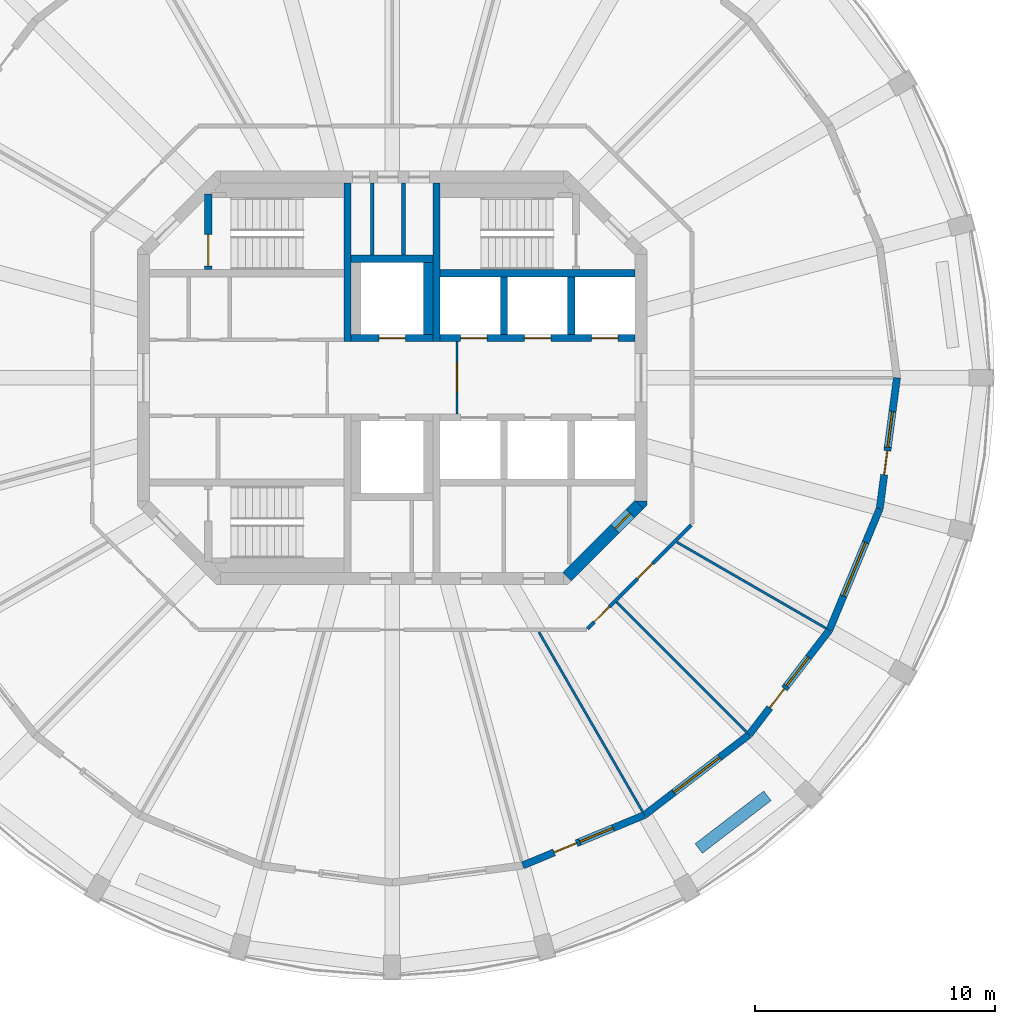
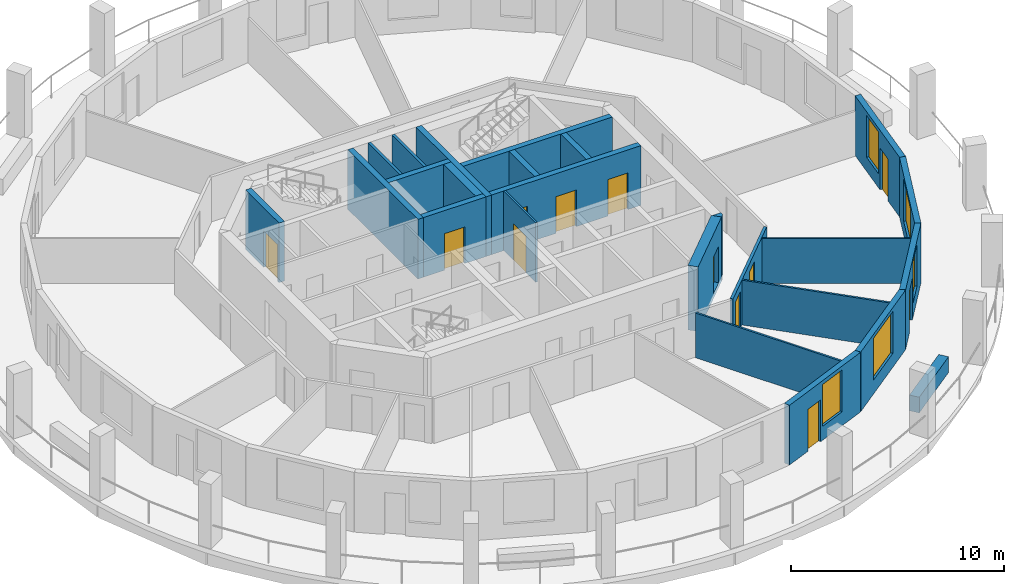
# One storey, part 4 of 8: 25 walls, 12 doors, 5 windows, 17 openings.
"""IFC4 building model written with IfcOpenShell, lengths in metres."""

from ifc_helpers import new_model, si_unit, direction, frame, frame_2d, origin, place, context, subcontext, project, spatial, polyline, rectangle, outline, extrude, material, layer, layer_set, type_object, element, fill, save


model = new_model("IFC4")

# Units and contexts
model_context = context("Model", 3, precision=1e-05, world=origin(), true_north=direction((0.0, 1.0)))
body_context = subcontext(model_context, "Body", "Model", "MODEL_VIEW")
ifc_project = project(units=[si_unit("LENGTHUNIT", "METRE"), si_unit("AREAUNIT", "SQUARE_METRE"), si_unit("VOLUMEUNIT", "CUBIC_METRE"), si_unit("PLANEANGLEUNIT", "RADIAN"), si_unit("MASSUNIT", "GRAM", prefix="KILO")], contexts=[model_context])

# Site, building, storey
site_placement = place(None, origin())
site = spatial("IfcSite", under=ifc_project, at=site_placement, CompositionType="ELEMENT")
building_placement = place(site_placement, origin())
building = spatial("IfcBuilding", under=site, at=building_placement, Name="Torre Triforio", CompositionType="ELEMENT")
storey_placement = place(building_placement, frame((0.0, 0.0, 261.199951171875)))
storey = spatial("IfcBuildingStorey", under=building, at=storey_placement, Name="L60", CompositionType="ELEMENT", Elevation=261.199951171875)

# Walls
ifc_material_1 = material(Name="Concrete C40", Category="concrete")
ifc_layer_1 = layer(ifc_material_1, 0.300048828125)
ifc_layer_set_1 = layer_set([ifc_layer_1], Name="Concrete C40")
wall_type_1 = type_object("IfcWallType", Name="Core wall 300 mm C40 EI 120", PredefinedType="SHEAR", material=ifc_layer_set_1)
for number, where, z_axis, x_axis, name in (
    (1, (-1.85009765625, 1.5, 0.0), (0.0, 0.0, 1.0), (0.0, 1.0, 0.0), "Core wall"),
    (2, (1.85009765625, 1.5, 0.0), (0.0, 0.0, 1.0), (0.0, 1.0, 0.0), "Core wall"),
):
    element("IfcWall", number, at=place(storey_placement, frame(where, z_axis=z_axis, x_axis=x_axis)), inside=storey, type_object=wall_type_1, Name=name, PredefinedType="SHEAR", context=body_context, shape_type="SweptSolid", body=[
        extrude(rectangle(XDim=6.60009765625, YDim=0.300048828125, at=frame_2d((3.300048828125, 0.0))), origin(), (0.0, 0.0, 1.0), 3.420166015625),
    ])

# Wall, opening, door
ifc_layer_2 = layer(ifc_material_1, 0.5)
ifc_layer_set_2 = layer_set([ifc_layer_2], Name="Concrete C40")
wall_type_2 = type_object("IfcWallType", Name="Core wall 500 mm C40 EI 120", PredefinedType="SHEAR", material=ifc_layer_set_2)
wall_1_placement = place(storey_placement, frame((10.27685546875, -5.27685546875, -0.280029296875), z_axis=(0.0, 0.0, 1.0), x_axis=(-0.707106781187, -0.707106781187, 0.0)))
wall_1 = element("IfcWall", 3, at=wall_1_placement, inside=storey, type_object=wall_type_2, Name="Core wall", PredefinedType="SHEAR", context=body_context, shape_type="SweptSolid", body=[
    extrude(rectangle(XDim=4.24267578125, YDim=0.5, at=frame_2d((2.121337890625, 0.0))), origin(), (0.0, 0.0, 1.0), 3.7001953125),
])
opening_1_placement = place(wall_1_placement, frame((0.52001953125, 0.0, 0.280029296875)))
opening_1 = element("IfcOpeningElement", 4, at=opening_1_placement, cuts=wall_1, Name="Opening SE-03", PredefinedType="OPENING", context=body_context, shape_type="SweptSolid", body=[
    extrude(rectangle(XDim=0.89990234375, YDim=2.10009765625, at=frame_2d((0.449951171875, 1.050048828125))), frame((0.0, 0.260009765625, 0.0), z_axis=(0.0, -1.0, 0.0), x_axis=(1.0, 0.0, 0.0)), (0.0, 0.0, 1.0), 0.52001953125),
])
ifc_material_2 = material(Name="Hollow metal fire door leaf")
door_type_1 = type_object("IfcDoorType", Name="Room door 900 x 2100 EI 60", OperationType="NOTDEFINED", PredefinedType="DOOR", material=ifc_material_2)
door_1_placement = place(opening_1_placement, origin())
door_1 = element("IfcDoor", 5, at=door_1_placement, inside=storey, type_object=door_type_1, Name="Core door SE-03", OperationType="SINGLE_SWING_RIGHT", OverallHeight=2.10009765625, OverallWidth=0.89990234375, PredefinedType="DOOR", context=body_context, shape_type="SweptSolid", body=[
    extrude(rectangle(XDim=0.89990234375, YDim=2.10009765625, at=frame_2d((0.449951171875, 1.050048828125))), frame((0.0, 0.02490234375, 0.0), z_axis=(0.0, -1.0, 0.0), x_axis=(1.0, 0.0, 0.0)), (0.0, 0.0, 1.0), 0.050048828125),
])
fill(opening_1, door_1)

# Wall
wall_2_placement = place(storey_placement, frame((0.0, 0.0, -0.280029296875)))
element("IfcWall", 6, at=wall_2_placement, inside=storey, type_object=wall_type_2, Name="Core wall", PredefinedType="SHEAR", context=body_context, shape_type="SweptSolid", body=[
    extrude(outline(polyline([(10.60009765625, -5.30712890625), (10.45361328125, -5.45361328125), (10.1298828125, -5.1298828125), (10.60009765625, -5.1298828125), (10.60009765625, -5.30712890625)])), origin(), (0.0, 0.0, 1.0), 3.7001953125),
])

# Wall, openings, doors
ifc_material_3 = material(Name="Plasterboard on metal studs")
ifc_layer_3 = layer(ifc_material_3, 0.14990234375)
ifc_layer_set_3 = layer_set([ifc_layer_3], Name="Plasterboard on metal studs")
wall_type_3 = type_object("IfcWallType", Name="Corridor and tenancy wall 150 mm EI 60", PredefinedType="PARTITIONING", material=ifc_layer_set_3)
wall_3_placement = place(storey_placement, frame((12.43798828125, -6.120849609375, 0.0), z_axis=(0.0, 0.0, 1.0), x_axis=(-0.707106781187, -0.707106781187, 0.0)))
wall_3 = element("IfcWall", 7, at=wall_3_placement, inside=storey, type_object=wall_type_3, Name="Partition 1", PredefinedType="PARTITIONING", context=body_context, shape_type="SweptSolid", body=[
    extrude(rectangle(XDim=6.10546875, YDim=0.14990234375, at=frame_2d((3.052734375, 0.0))), origin(), (0.0, 0.0, 1.0), 2.570068359375),
])
opening_2_placement = place(wall_3_placement, frame((4.81103515625, 0.0, 0.0)))
opening_2 = element("IfcOpeningElement", 8, at=opening_2_placement, cuts=wall_3, Name="Opening E1-12", PredefinedType="OPENING", context=body_context, shape_type="SweptSolid", body=[
    extrude(rectangle(XDim=0.89990234375, YDim=2.10009765625, at=frame_2d((0.449951171875, 1.050048828125))), frame((0.0, 0.0849609375, 0.0), z_axis=(0.0, -1.0, 0.0), x_axis=(1.0, 0.0, 0.0)), (0.0, 0.0, 1.0), 0.169921875),
])
opening_3_placement = place(wall_3_placement, frame((2.2578125, 0.0, 0.0)))
opening_3 = element("IfcOpeningElement", 9, at=opening_3_placement, cuts=wall_3, Name="Opening E1-13", PredefinedType="OPENING", context=body_context, shape_type="SweptSolid", body=[
    extrude(rectangle(XDim=0.89990234375, YDim=2.10009765625, at=frame_2d((0.449951171875, 1.050048828125))), frame((0.0, 0.0849609375, 0.0), z_axis=(0.0, -1.0, 0.0), x_axis=(1.0, 0.0, 0.0)), (0.0, 0.0, 1.0), 0.169921875),
])
ifc_material_4 = material(Name="Timber", Category="wood")
door_type_2 = type_object("IfcDoorType", Name="Door 900 x 2100 single leaf EI 30", OperationType="NOTDEFINED", PredefinedType="DOOR", material=ifc_material_4)
door_2_placement = place(opening_2_placement, origin())
door_2 = element("IfcDoor", 10, at=door_2_placement, inside=storey, type_object=door_type_2, Name="Door E1-12", OperationType="SINGLE_SWING_LEFT", OverallHeight=2.10009765625, OverallWidth=0.89990234375, PredefinedType="DOOR", context=body_context, shape_type="SweptSolid", body=[
    extrude(rectangle(XDim=0.89990234375, YDim=2.10009765625, at=frame_2d((0.449951171875, 1.050048828125))), frame((0.0, 0.02490234375, 0.0), z_axis=(0.0, -1.0, 0.0), x_axis=(1.0, 0.0, 0.0)), (0.0, 0.0, 1.0), 0.050048828125),
])
fill(opening_2, door_2)
door_3_placement = place(opening_3_placement, origin())
door_3 = element("IfcDoor", 11, at=door_3_placement, inside=storey, type_object=door_type_2, Name="Door E1-13", OperationType="SINGLE_SWING_LEFT", OverallHeight=2.10009765625, OverallWidth=0.89990234375, PredefinedType="DOOR", context=body_context, shape_type="SweptSolid", body=[
    extrude(rectangle(XDim=0.89990234375, YDim=2.10009765625, at=frame_2d((0.449951171875, 1.050048828125))), frame((0.0, 0.02490234375, 0.0), z_axis=(0.0, -1.0, 0.0), x_axis=(1.0, 0.0, 0.0)), (0.0, 0.0, 1.0), 0.050048828125),
])
fill(opening_3, door_3)

# Wall, opening, door
ifc_material_5 = material(Name="Block and board partition")
ifc_layer_4 = layer(ifc_material_5, 0.10009765625)
ifc_layer_set_4 = layer_set([ifc_layer_4], Name="Block and board partition")
wall_type_4 = type_object("IfcWallType", Name="Partition 100 mm EI 120", PredefinedType="PARTITIONING", material=ifc_layer_set_4)
wall_4_placement = place(storey_placement, frame((2.699951171875, -1.5, 0.0), z_axis=(0.0, 0.0, 1.0), x_axis=(0.0, 1.0, 0.0)))
wall_4 = element("IfcWall", 12, at=wall_4_placement, inside=storey, type_object=wall_type_4, Name="Partition", PredefinedType="PARTITIONING", context=body_context, shape_type="SweptSolid", body=[
    extrude(rectangle(XDim=3.0, YDim=0.10009765625, at=frame_2d((1.5, 0.0))), origin(), (0.0, 0.0, 1.0), 3.420166015625),
])
opening_4_placement = place(wall_4_placement, frame((0.89990234375, 0.0, 0.0)))
opening_4 = element("IfcOpeningElement", 13, at=opening_4_placement, cuts=wall_4, Name="Opening FF-E", PredefinedType="OPENING", context=body_context, shape_type="SweptSolid", body=[
    extrude(rectangle(XDim=1.199951171875, YDim=2.10009765625, at=frame_2d((0.60009765625, 1.050048828125))), frame((0.0, 0.06005859375, 0.0), z_axis=(0.0, -1.0, 0.0), x_axis=(1.0, 0.0, 0.0)), (0.0, 0.0, 1.0), 0.1201171875),
])
door_type_3 = type_object("IfcDoorType", Name="Fire-fighting lobby door 1200 x 2100 EI 60", OperationType="NOTDEFINED", PredefinedType="DOOR", material=ifc_material_2)
door_4_placement = place(opening_4_placement, origin())
door_4 = element("IfcDoor", 14, at=door_4_placement, inside=storey, type_object=door_type_3, Name="Core door FF-E", OperationType="SINGLE_SWING_LEFT", OverallHeight=2.10009765625, OverallWidth=1.199951171875, PredefinedType="DOOR", context=body_context, shape_type="SweptSolid", body=[
    extrude(rectangle(XDim=1.199951171875, YDim=2.10009765625, at=frame_2d((0.60009765625, 1.050048828125))), frame((0.0, 0.02490234375, 0.0), z_axis=(0.0, -1.0, 0.0), x_axis=(1.0, 0.0, 0.0)), (0.0, 0.0, 1.0), 0.050048828125),
])
fill(opening_4, door_4)

# Walls
ifc_layer_5 = layer(ifc_material_3, 0.10009765625)
ifc_layer_set_5 = layer_set([ifc_layer_5], Name="Plasterboard on metal studs")
wall_type_5 = type_object("IfcWallType", Name="Partition 100 mm board on metal studs", PredefinedType="PARTITIONING", material=ifc_layer_set_5)
wall_5_placement = place(storey_placement, frame((6.105224609375, -10.57470703125, 0.0), z_axis=(0.0, 0.0, 1.0), x_axis=(0.50001399067, -0.866017326117, 0.0)))
element("IfcWall", 15, at=wall_5_placement, inside=storey, type_object=wall_type_5, Name="Partition 21", PredefinedType="PARTITIONING", context=body_context, shape_type="SweptSolid", body=[
    extrude(rectangle(XDim=8.626220703125, YDim=0.10009765625, at=frame_2d((4.31298828125, 0.0))), origin(), (0.0, 0.0, 1.0), 2.570068359375),
])
wall_6_placement = place(storey_placement, frame((9.33251953125, -9.33251953125, 0.0), z_axis=(0.0, 0.0, 1.0), x_axis=(0.707106781187, -0.707106781187, 0.0)))
element("IfcWall", 16, at=wall_6_placement, inside=storey, type_object=wall_type_5, Name="Partition 22", PredefinedType="PARTITIONING", context=body_context, shape_type="SweptSolid", body=[
    extrude(rectangle(XDim=7.638671875, YDim=0.10009765625, at=frame_2d((3.8193359375, 0.0))), origin(), (0.0, 0.0, 1.0), 2.570068359375),
])
wall_7_placement = place(storey_placement, frame((11.845947265625, -6.839111328125, 0.0), z_axis=(0.0, 0.0, 1.0), x_axis=(0.866011787705, -0.500023583, 0.0)))
element("IfcWall", 17, at=wall_7_placement, inside=storey, type_object=wall_type_5, Name="Partition 23", PredefinedType="PARTITIONING", context=body_context, shape_type="SweptSolid", body=[
    extrude(rectangle(XDim=7.158447265625, YDim=0.10009765625, at=frame_2d((3.5791015625, 0.0))), origin(), (0.0, 0.0, 1.0), 2.570068359375),
])
ifc_layer_6 = layer(ifc_material_5, 0.14990234375)
ifc_layer_set_6 = layer_set([ifc_layer_6], Name="Block and board partition")
wall_type_6 = type_object("IfcWallType", Name="Partition 150 mm", PredefinedType="PARTITIONING", material=ifc_layer_set_6)
wall_8_placement = place(storey_placement, frame((0.47509765625, 5.10009765625, 0.0), z_axis=(0.0, 0.0, 1.0), x_axis=(0.0, 1.0, 0.0)))
element("IfcWall", 18, at=wall_8_placement, inside=storey, type_object=wall_type_6, Name="Partition", PredefinedType="PARTITIONING", context=body_context, shape_type="SweptSolid", body=[
    extrude(rectangle(XDim=3.0, YDim=0.14990234375, at=frame_2d((1.5, 0.0))), origin(), (0.0, 0.0, 1.0), 3.420166015625),
])
ifc_layer_7 = layer(ifc_material_5, 0.14990234375)
ifc_layer_set_7 = layer_set([ifc_layer_7], Name="Block and board partition")
wall_type_7 = type_object("IfcWallType", Name="Partition 150 mm EI 120", PredefinedType="PARTITIONING", material=ifc_layer_set_7)
wall_9_placement = place(storey_placement, frame((-0.824951171875, 5.10009765625, 0.0), z_axis=(0.0, 0.0, 1.0), x_axis=(0.0, 1.0, 0.0)))
element("IfcWall", 19, at=wall_9_placement, inside=storey, type_object=wall_type_7, Name="Partition", PredefinedType="PARTITIONING", context=body_context, shape_type="SweptSolid", body=[
    extrude(rectangle(XDim=3.0, YDim=0.14990234375, at=frame_2d((1.5, 0.0))), origin(), (0.0, 0.0, 1.0), 3.420166015625),
])
ifc_material_6 = material(Name="Limestone cladding", Category="masonry")
ifc_layer_8 = layer(ifc_material_6, 0.10009765625)
ifc_layer_9 = layer(ifc_material_1, 0.39990234375)
ifc_layer_set_8 = layer_set([ifc_layer_8, ifc_layer_9], Name="Limestone cladding / Concrete C40")
wall_type_8 = type_object("IfcWallType", Name="Planter wall 500", PredefinedType="PARAPET", material=ifc_layer_set_8)
wall_10_placement = place(storey_placement, frame((12.756103515625, -19.580810546875, 0.0), z_axis=(0.0, 0.0, 1.0), x_axis=(0.793384730612, 0.608720518162, 0.0)))
element("IfcWall", 20, at=wall_10_placement, inside=storey, type_object=wall_type_8, Name="Planter L60 bay 21", PredefinedType="PARAPET", context=body_context, shape_type="SweptSolid", body=[
    extrude(rectangle(XDim=3.60009765625, YDim=0.5, at=frame_2d((1.800048828125, 0.0))), origin(), (0.0, 0.0, 1.0), 0.900146484375),
])
ifc_layer_10 = layer(ifc_material_1, 0.300048828125)
ifc_layer_set_9 = layer_set([ifc_layer_10], Name="Concrete C40")
wall_type_9 = type_object("IfcWallType", Name="Shaft wall 300 mm C40 EI 120", PredefinedType="SOLIDWALL", material=ifc_layer_set_9)
wall_11_placement = place(storey_placement, frame((2.0, 4.35009765625, 0.0), z_axis=(0.0, 0.0, 1.0), x_axis=(1.0, 0.0, 0.0)))
element("IfcWall", 21, at=wall_11_placement, inside=storey, type_object=wall_type_9, Name="Shaft wall", PredefinedType="SOLIDWALL", context=body_context, shape_type="SweptSolid", body=[
    extrude(rectangle(XDim=8.10009765625, YDim=0.300048828125, at=frame_2d((4.050048828125, 0.0))), origin(), (0.0, 0.0, 1.0), 3.420166015625),
])

# Wall, openings, doors
wall_12_placement = place(storey_placement, frame((2.0, 1.64990234375, 0.0), z_axis=(0.0, 0.0, 1.0), x_axis=(1.0, 0.0, 0.0)))
wall_12 = element("IfcWall", 22, at=wall_12_placement, inside=storey, type_object=wall_type_9, Name="Shaft wall", PredefinedType="SOLIDWALL", context=body_context, shape_type="SweptSolid", body=[
    extrude(rectangle(XDim=8.10009765625, YDim=0.300048828125, at=frame_2d((4.050048828125, 0.0))), origin(), (0.0, 0.0, 1.0), 3.420166015625),
])
opening_5_placement = place(wall_12_placement, frame((0.85009765625, 0.0, 0.0)))
opening_5 = element("IfcOpeningElement", 23, at=opening_5_placement, cuts=wall_12, Name="Opening LD", PredefinedType="OPENING", context=body_context, shape_type="SweptSolid", body=[
    extrude(rectangle(XDim=1.10009765625, YDim=2.10009765625, at=frame_2d((0.550048828125, 1.050048828125))), frame((0.0, 0.159912109375, 0.0), z_axis=(0.0, -1.0, 0.0), x_axis=(1.0, 0.0, 0.0)), (0.0, 0.0, 1.0), 0.320068359375),
])
opening_6_placement = place(wall_12_placement, frame((3.5, 0.0, 0.0)))
opening_6 = element("IfcOpeningElement", 24, at=opening_6_placement, cuts=wall_12, Name="Opening LD", PredefinedType="OPENING", context=body_context, shape_type="SweptSolid", body=[
    extrude(rectangle(XDim=1.10009765625, YDim=2.10009765625, at=frame_2d((0.550048828125, 1.050048828125))), frame((0.0, 0.159912109375, 0.0), z_axis=(0.0, -1.0, 0.0), x_axis=(1.0, 0.0, 0.0)), (0.0, 0.0, 1.0), 0.320068359375),
])
opening_7_placement = place(wall_12_placement, frame((6.300048828125, 0.0, 0.0)))
opening_7 = element("IfcOpeningElement", 25, at=opening_7_placement, cuts=wall_12, Name="Opening LD", PredefinedType="OPENING", context=body_context, shape_type="SweptSolid", body=[
    extrude(rectangle(XDim=1.10009765625, YDim=2.10009765625, at=frame_2d((0.550048828125, 1.050048828125))), frame((0.0, 0.159912109375, 0.0), z_axis=(0.0, -1.0, 0.0), x_axis=(1.0, 0.0, 0.0)), (0.0, 0.0, 1.0), 0.320068359375),
])
door_type_4 = type_object("IfcDoorType", Name="Landing door 1100 x 2100 EI 60", OperationType="DOUBLE_DOOR_SLIDING", PredefinedType="DOOR", material=ifc_material_2)
door_5_placement = place(opening_5_placement, origin())
door_5 = element("IfcDoor", 26, at=door_5_placement, inside=storey, type_object=door_type_4, Name="Landing door HR1", OperationType="DOUBLE_DOOR_SLIDING", OverallHeight=2.10009765625, OverallWidth=1.10009765625, PredefinedType="DOOR", context=body_context, shape_type="SweptSolid", body=[
    extrude(rectangle(XDim=1.10009765625, YDim=2.10009765625, at=frame_2d((0.550048828125, 1.050048828125))), frame((0.0, 0.02490234375, 0.0), z_axis=(0.0, -1.0, 0.0), x_axis=(1.0, 0.0, 0.0)), (0.0, 0.0, 1.0), 0.050048828125),
])
fill(opening_5, door_5)
door_6_placement = place(opening_6_placement, origin())
door_6 = element("IfcDoor", 27, at=door_6_placement, inside=storey, type_object=door_type_4, Name="Landing door HR2", OperationType="DOUBLE_DOOR_SLIDING", OverallHeight=2.10009765625, OverallWidth=1.10009765625, PredefinedType="DOOR", context=body_context, shape_type="SweptSolid", body=[
    extrude(rectangle(XDim=1.10009765625, YDim=2.10009765625, at=frame_2d((0.550048828125, 1.050048828125))), frame((0.0, 0.02490234375, 0.0), z_axis=(0.0, -1.0, 0.0), x_axis=(1.0, 0.0, 0.0)), (0.0, 0.0, 1.0), 0.050048828125),
])
fill(opening_6, door_6)
door_7_placement = place(opening_7_placement, origin())
door_7 = element("IfcDoor", 28, at=door_7_placement, inside=storey, type_object=door_type_4, Name="Landing door HR3", OperationType="DOUBLE_DOOR_SLIDING", OverallHeight=2.10009765625, OverallWidth=1.10009765625, PredefinedType="DOOR", context=body_context, shape_type="SweptSolid", body=[
    extrude(rectangle(XDim=1.10009765625, YDim=2.10009765625, at=frame_2d((0.550048828125, 1.050048828125))), frame((0.0, 0.02490234375, 0.0), z_axis=(0.0, -1.0, 0.0), x_axis=(1.0, 0.0, 0.0)), (0.0, 0.0, 1.0), 0.050048828125),
])
fill(opening_7, door_7)

# Walls
for number, where, z_axis, x_axis, name in (
    (29, (4.64990234375, 1.800048828125, 0.0), (0.0, 0.0, 1.0), (0.0, 1.0, 0.0), "Shaft wall"),
    (30, (7.449951171875, 1.800048828125, 0.0), (0.0, 0.0, 1.0), (0.0, 1.0, 0.0), "Shaft wall"),
):
    element("IfcWall", number, at=place(storey_placement, frame(where, z_axis=z_axis, x_axis=x_axis)), inside=storey, type_object=wall_type_9, Name=name, PredefinedType="SOLIDWALL", context=body_context, shape_type="SweptSolid", body=[
        extrude(rectangle(XDim=2.39990234375, YDim=0.300048828125, at=frame_2d((1.199951171875, 0.0))), origin(), (0.0, 0.0, 1.0), 3.420166015625),
    ])

# Wall, opening, door
wall_13_placement = place(storey_placement, frame((-1.699951171875, 1.64990234375, 0.0), z_axis=(0.0, 0.0, 1.0), x_axis=(1.0, 0.0, 0.0)))
wall_13 = element("IfcWall", 31, at=wall_13_placement, inside=storey, type_object=wall_type_9, Name="Shaft wall", PredefinedType="SOLIDWALL", context=body_context, shape_type="SweptSolid", body=[
    extrude(rectangle(XDim=3.39990234375, YDim=0.300048828125, at=frame_2d((1.699951171875, 0.0))), origin(), (0.0, 0.0, 1.0), 3.420166015625),
])
opening_8_placement = place(wall_13_placement, frame((1.14990234375, 0.0, 0.0)))
opening_8 = element("IfcOpeningElement", 32, at=opening_8_placement, cuts=wall_13, Name="Opening LD", PredefinedType="OPENING", context=body_context, shape_type="SweptSolid", body=[
    extrude(rectangle(XDim=1.10009765625, YDim=2.10009765625, at=frame_2d((0.550048828125, 1.050048828125))), frame((0.0, 0.159912109375, 0.0), z_axis=(0.0, -1.0, 0.0), x_axis=(1.0, 0.0, 0.0)), (0.0, 0.0, 1.0), 0.320068359375),
])
door_8_placement = place(opening_8_placement, origin())
door_8 = element("IfcDoor", 33, at=door_8_placement, inside=storey, type_object=door_type_4, Name="Landing door FFL1", OperationType="DOUBLE_DOOR_SLIDING", OverallHeight=2.10009765625, OverallWidth=1.10009765625, PredefinedType="DOOR", context=body_context, shape_type="SweptSolid", body=[
    extrude(rectangle(XDim=1.10009765625, YDim=2.10009765625, at=frame_2d((0.550048828125, 1.050048828125))), frame((0.0, 0.02490234375, 0.0), z_axis=(0.0, -1.0, 0.0), x_axis=(1.0, 0.0, 0.0)), (0.0, 0.0, 1.0), 0.050048828125),
])
fill(opening_8, door_8)

# Walls
wall_14_placement = place(storey_placement, frame((-1.699951171875, 4.949951171875, 0.0), z_axis=(0.0, 0.0, 1.0), x_axis=(1.0, 0.0, 0.0)))
element("IfcWall", 34, at=wall_14_placement, inside=storey, type_object=wall_type_9, Name="Shaft wall", PredefinedType="SOLIDWALL", context=body_context, shape_type="SweptSolid", body=[
    extrude(rectangle(XDim=3.39990234375, YDim=0.300048828125, at=frame_2d((1.699951171875, 0.0))), origin(), (0.0, 0.0, 1.0), 3.420166015625),
])
ifc_layer_11 = layer(ifc_material_1, 0.39990234375)
ifc_layer_set_10 = layer_set([ifc_layer_11], Name="Concrete C40")
wall_type_10 = type_object("IfcWallType", Name="Shaft wall 400 mm C40 EI 120", PredefinedType="SOLIDWALL", material=ifc_layer_set_10)
wall_15_placement = place(storey_placement, frame((1.5, 1.800048828125, 0.0), z_axis=(0.0, 0.0, 1.0), x_axis=(0.0, 1.0, 0.0)))
element("IfcWall", 35, at=wall_15_placement, inside=storey, type_object=wall_type_10, Name="Shaft wall", PredefinedType="SOLIDWALL", context=body_context, shape_type="SweptSolid", body=[
    extrude(rectangle(XDim=3.0, YDim=0.39990234375, at=frame_2d((1.5, 0.0))), origin(), (0.0, 0.0, 1.0), 3.420166015625),
])

# Wall, opening, door
ifc_layer_12 = layer(ifc_material_1, 0.300048828125)
ifc_layer_set_11 = layer_set([ifc_layer_12], Name="Concrete C40")
wall_type_11 = type_object("IfcWallType", Name="Stair wall 300 mm C40 EI 120", PredefinedType="SHEAR", material=ifc_layer_set_11)
wall_16_placement = place(storey_placement, frame((-7.64990234375, 4.5, 0.0), z_axis=(0.0, 0.0, 1.0), x_axis=(0.0, 1.0, 0.0)))
wall_16 = element("IfcWall", 36, at=wall_16_placement, inside=storey, type_object=wall_type_11, Name="Stair wall", PredefinedType="SHEAR", context=body_context, shape_type="SweptSolid", body=[
    extrude(rectangle(XDim=3.139892578125, YDim=0.300048828125, at=frame_2d((1.56982421875, 0.0))), origin(), (0.0, 0.0, 1.0), 3.420166015625),
])
opening_9_placement = place(wall_16_placement, frame((0.139892578125, 0.0, 0.0)))
opening_9 = element("IfcOpeningElement", 37, at=opening_9_placement, cuts=wall_16, Name="Opening ST1-STA", PredefinedType="OPENING", context=body_context, shape_type="SweptSolid", body=[
    extrude(rectangle(XDim=1.320068359375, YDim=2.10009765625, at=frame_2d((0.66015625, 1.050048828125))), frame((0.0, 0.159912109375, 0.0), z_axis=(0.0, -1.0, 0.0), x_axis=(1.0, 0.0, 0.0)), (0.0, 0.0, 1.0), 0.320068359375),
])
door_type_5 = type_object("IfcDoorType", Name="Stair door 1320 x 2100 EI 90", OperationType="DOUBLE_DOOR_SINGLE_SWING", PredefinedType="DOOR", material=ifc_material_2)
door_9_placement = place(opening_9_placement, origin())
door_9 = element("IfcDoor", 38, at=door_9_placement, inside=storey, type_object=door_type_5, Name="Core door ST1-ST", OperationType="DOUBLE_DOOR_SINGLE_SWING", OverallHeight=2.10009765625, OverallWidth=1.320068359375, PredefinedType="DOOR", context=body_context, shape_type="SweptSolid", body=[
    extrude(rectangle(XDim=1.320068359375, YDim=2.10009765625, at=frame_2d((0.66015625, 1.050048828125))), frame((0.0, 0.02490234375, 0.0), z_axis=(0.0, -1.0, 0.0), x_axis=(1.0, 0.0, 0.0)), (0.0, 0.0, 1.0), 0.050048828125),
])
fill(opening_9, door_9)

# Wall, openings, door, window
ifc_layer_13 = layer(ifc_material_6, 0.10009765625)
ifc_layer_14 = layer(ifc_material_1, 0.199951171875)
ifc_layer_set_12 = layer_set([ifc_layer_13, ifc_layer_14], Name="Limestone cladding / Concrete C40")
wall_type_12 = type_object("IfcWallType", Name="Stone-faced composite wall 300", PredefinedType="STANDARD", material=ifc_layer_set_12)
wall_17_placement = place(storey_placement, frame((5.435302734375, -20.284423828125, 0.0), z_axis=(0.0, 0.0, 1.0), x_axis=(0.923877333662, 0.382688740813, 0.0)))
wall_17 = element("IfcWall", 39, at=wall_17_placement, inside=storey, type_object=wall_type_12, Name="External wall L60 bay 20", PredefinedType="STANDARD", context=body_context, shape_type="SweptSolid", body=[
    extrude(rectangle(XDim=5.48193359375, YDim=0.300048828125, at=frame_2d((2.740966796875, 0.0))), origin(), (0.0, 0.0, 1.0), 3.420166015625),
])
opening_10_placement = place(wall_17_placement, frame((1.416015625, 0.0, 0.0)))
opening_10 = element("IfcOpeningElement", 40, at=opening_10_placement, cuts=wall_17, Name="Opening E1-D20", PredefinedType="OPENING", context=body_context, shape_type="SweptSolid", body=[
    extrude(rectangle(XDim=1.0, YDim=2.39990234375, at=frame_2d((0.5, 1.199951171875))), frame((0.0, 0.159912109375, 0.0), z_axis=(0.0, -1.0, 0.0), x_axis=(1.0, 0.0, 0.0)), (0.0, 0.0, 1.0), 0.320068359375),
])
opening_11_placement = place(wall_17_placement, frame((2.566162109375, 0.0, 0.800048828125)))
opening_11 = element("IfcOpeningElement", 41, at=opening_11_placement, cuts=wall_17, Name="Opening E1-W20A", PredefinedType="OPENING", context=body_context, shape_type="SweptSolid", body=[
    extrude(rectangle(XDim=1.5, YDim=2.39990234375, at=frame_2d((0.75, 1.199951171875))), frame((0.0, 0.159912109375, 0.0), z_axis=(0.0, -1.0, 0.0), x_axis=(1.0, 0.0, 0.0)), (0.0, 0.0, 1.0), 0.320068359375),
])
ifc_material_7 = material(Name="Aluminium frame with clear double glazing", Category="aluminium")
door_type_6 = type_object("IfcDoorType", Name="Loggia door 1000 x 2400", OperationType="NOTDEFINED", PredefinedType="DOOR", material=ifc_material_7)
door_10_placement = place(opening_10_placement, origin())
door_10 = element("IfcDoor", 42, at=door_10_placement, inside=storey, type_object=door_type_6, Name="Loggia door L60 bay 20", OperationType="SINGLE_SWING_LEFT", OverallHeight=2.39990234375, OverallWidth=1.0, PredefinedType="DOOR", context=body_context, shape_type="SweptSolid", body=[
    extrude(rectangle(XDim=1.0, YDim=2.39990234375, at=frame_2d((0.5, 1.199951171875))), frame((0.0, 0.02490234375, 0.0), z_axis=(0.0, -1.0, 0.0), x_axis=(1.0, 0.0, 0.0)), (0.0, 0.0, 1.0), 0.050048828125),
])
fill(opening_10, door_10)
window_type_1 = type_object("IfcWindowType", Name="Side window 1500 x 2400", PartitioningType="SINGLE_PANEL", PredefinedType="WINDOW", material=ifc_material_7)
window_1_placement = place(opening_11_placement, origin())
window_1 = element("IfcWindow", 43, at=window_1_placement, inside=storey, type_object=window_type_1, Name="Side window EWN14 L60 bay 20", OverallHeight=2.39990234375, OverallWidth=1.5, PartitioningType="SINGLE_PANEL", PredefinedType="WINDOW", context=body_context, shape_type="SweptSolid", body=[
    extrude(rectangle(XDim=1.5, YDim=2.39990234375, at=frame_2d((0.75, 1.199951171875))), frame((0.0, 0.030029296875, 0.0), z_axis=(0.0, -1.0, 0.0), x_axis=(1.0, 0.0, 0.0)), (0.0, 0.0, 1.0), 0.06005859375),
])
fill(opening_11, window_1)

# Wall, opening, window
wall_18_placement = place(storey_placement, frame((10.5, -18.1865234375, 0.0), z_axis=(0.0, 0.0, 1.0), x_axis=(0.793335336593, 0.608784891166, 0.0)))
wall_18 = element("IfcWall", 44, at=wall_18_placement, inside=storey, type_object=wall_type_12, Name="External wall L60 bay 21", PredefinedType="STANDARD", context=body_context, shape_type="SweptSolid", body=[
    extrude(rectangle(XDim=5.482177734375, YDim=0.300048828125, at=frame_2d((2.7412109375, 0.0))), origin(), (0.0, 0.0, 1.0), 3.420166015625),
])
opening_12_placement = place(wall_18_placement, frame((1.541015625, 0.0, 0.800048828125)))
opening_12 = element("IfcOpeningElement", 45, at=opening_12_placement, cuts=wall_18, Name="Opening E1-W21", PredefinedType="OPENING", context=body_context, shape_type="SweptSolid", body=[
    extrude(rectangle(XDim=2.39990234375, YDim=2.39990234375, at=frame_2d((1.199951171875, 1.199951171875))), frame((0.0, 0.159912109375, 0.0), z_axis=(0.0, -1.0, 0.0), x_axis=(1.0, 0.0, 0.0)), (0.0, 0.0, 1.0), 0.320068359375),
])
window_type_2 = type_object("IfcWindowType", Name="Punched window 2400 x 2400", PartitioningType="DOUBLE_PANEL_VERTICAL", PredefinedType="WINDOW", material=ifc_material_7)
window_2_placement = place(opening_12_placement, origin())
window_2 = element("IfcWindow", 46, at=window_2_placement, inside=storey, type_object=window_type_2, Name="Window EWN4 L60 bay 21", OverallHeight=2.39990234375, OverallWidth=2.39990234375, PartitioningType="SINGLE_PANEL", PredefinedType="WINDOW", context=body_context, shape_type="SweptSolid", body=[
    extrude(rectangle(XDim=2.39990234375, YDim=2.39990234375, at=frame_2d((1.199951171875, 1.199951171875))), frame((0.0, 0.030029296875, 0.0), z_axis=(0.0, -1.0, 0.0), x_axis=(1.0, 0.0, 0.0)), (0.0, 0.0, 1.0), 0.06005859375),
])
fill(opening_12, window_2)

# Wall, openings, door, window
wall_19_placement = place(storey_placement, frame((14.84912109375, -14.84912109375, 0.0), z_axis=(0.0, 0.0, 1.0), x_axis=(0.608784891166, 0.793335336593, 0.0)))
wall_19 = element("IfcWall", 47, at=wall_19_placement, inside=storey, type_object=wall_type_12, Name="External wall L60 bay 22", PredefinedType="STANDARD", context=body_context, shape_type="SweptSolid", body=[
    extrude(rectangle(XDim=5.482177734375, YDim=0.300048828125, at=frame_2d((2.7412109375, 0.0))), origin(), (0.0, 0.0, 1.0), 3.420166015625),
])
opening_13_placement = place(wall_19_placement, frame((1.416015625, 0.0, 0.0)))
opening_13 = element("IfcOpeningElement", 48, at=opening_13_placement, cuts=wall_19, Name="Opening E1-D22", PredefinedType="OPENING", context=body_context, shape_type="SweptSolid", body=[
    extrude(rectangle(XDim=1.0, YDim=2.39990234375, at=frame_2d((0.5, 1.199951171875))), frame((0.0, 0.159912109375, 0.0), z_axis=(0.0, -1.0, 0.0), x_axis=(1.0, 0.0, 0.0)), (0.0, 0.0, 1.0), 0.320068359375),
])
opening_14_placement = place(wall_19_placement, frame((2.56591796875, 0.0, 0.800048828125)))
opening_14 = element("IfcOpeningElement", 49, at=opening_14_placement, cuts=wall_19, Name="Opening E1-W22A", PredefinedType="OPENING", context=body_context, shape_type="SweptSolid", body=[
    extrude(rectangle(XDim=1.5, YDim=2.39990234375, at=frame_2d((0.75, 1.199951171875))), frame((0.0, 0.159912109375, 0.0), z_axis=(0.0, -1.0, 0.0), x_axis=(1.0, 0.0, 0.0)), (0.0, 0.0, 1.0), 0.320068359375),
])
door_11_placement = place(opening_13_placement, origin())
door_11 = element("IfcDoor", 50, at=door_11_placement, inside=storey, type_object=door_type_6, Name="Loggia door L60 bay 22", OperationType="SINGLE_SWING_LEFT", OverallHeight=2.39990234375, OverallWidth=1.0, PredefinedType="DOOR", context=body_context, shape_type="SweptSolid", body=[
    extrude(rectangle(XDim=1.0, YDim=2.39990234375, at=frame_2d((0.5, 1.199951171875))), frame((0.0, 0.02490234375, 0.0), z_axis=(0.0, -1.0, 0.0), x_axis=(1.0, 0.0, 0.0)), (0.0, 0.0, 1.0), 0.050048828125),
])
fill(opening_13, door_11)
window_3_placement = place(opening_14_placement, origin())
window_3 = element("IfcWindow", 51, at=window_3_placement, inside=storey, type_object=window_type_1, Name="Side window EWN14 L60 bay 22", OverallHeight=2.39990234375, OverallWidth=1.5, PartitioningType="SINGLE_PANEL", PredefinedType="WINDOW", context=body_context, shape_type="SweptSolid", body=[
    extrude(rectangle(XDim=1.5, YDim=2.39990234375, at=frame_2d((0.75, 1.199951171875))), frame((0.0, 0.030029296875, 0.0), z_axis=(0.0, -1.0, 0.0), x_axis=(1.0, 0.0, 0.0)), (0.0, 0.0, 1.0), 0.06005859375),
])
fill(opening_14, window_3)

# Wall, opening, window
wall_20_placement = place(storey_placement, frame((18.1865234375, -10.5, 0.0), z_axis=(0.0, 0.0, 1.0), x_axis=(0.382688740813, 0.923877333662, 0.0)))
wall_20 = element("IfcWall", 52, at=wall_20_placement, inside=storey, type_object=wall_type_12, Name="External wall L60 bay 23", PredefinedType="STANDARD", context=body_context, shape_type="SweptSolid", body=[
    extrude(rectangle(XDim=5.48193359375, YDim=0.300048828125, at=frame_2d((2.740966796875, 0.0))), origin(), (0.0, 0.0, 1.0), 3.420166015625),
])
opening_15_placement = place(wall_20_placement, frame((1.541015625, 0.0, 0.800048828125)))
opening_15 = element("IfcOpeningElement", 53, at=opening_15_placement, cuts=wall_20, Name="Opening E1-W23", PredefinedType="OPENING", context=body_context, shape_type="SweptSolid", body=[
    extrude(rectangle(XDim=2.39990234375, YDim=2.39990234375, at=frame_2d((1.199951171875, 1.199951171875))), frame((0.0, 0.159912109375, 0.0), z_axis=(0.0, -1.0, 0.0), x_axis=(1.0, 0.0, 0.0)), (0.0, 0.0, 1.0), 0.320068359375),
])
window_4_placement = place(opening_15_placement, origin())
window_4 = element("IfcWindow", 54, at=window_4_placement, inside=storey, type_object=window_type_2, Name="Window EWN4 L60 bay 23", OverallHeight=2.39990234375, OverallWidth=2.39990234375, PartitioningType="SINGLE_PANEL", PredefinedType="WINDOW", context=body_context, shape_type="SweptSolid", body=[
    extrude(rectangle(XDim=2.39990234375, YDim=2.39990234375, at=frame_2d((1.199951171875, 1.199951171875))), frame((0.0, 0.030029296875, 0.0), z_axis=(0.0, -1.0, 0.0), x_axis=(1.0, 0.0, 0.0)), (0.0, 0.0, 1.0), 0.06005859375),
])
fill(opening_15, window_4)

# Wall, openings, door, window
wall_21_placement = place(storey_placement, frame((20.284423828125, -5.435302734375, 0.0), z_axis=(0.0, 0.0, 1.0), x_axis=(0.130527087244, 0.991444743541, 0.0)))
wall_21 = element("IfcWall", 55, at=wall_21_placement, inside=storey, type_object=wall_type_12, Name="External wall L60 bay 24", PredefinedType="STANDARD", context=body_context, shape_type="SweptSolid", body=[
    extrude(rectangle(XDim=5.482177734375, YDim=0.300048828125, at=frame_2d((2.7412109375, 0.0))), origin(), (0.0, 0.0, 1.0), 3.420166015625),
])
opening_16_placement = place(wall_21_placement, frame((1.416015625, 0.0, 0.0)))
opening_16 = element("IfcOpeningElement", 56, at=opening_16_placement, cuts=wall_21, Name="Opening E1-D24", PredefinedType="OPENING", context=body_context, shape_type="SweptSolid", body=[
    extrude(rectangle(XDim=1.0, YDim=2.39990234375, at=frame_2d((0.5, 1.199951171875))), frame((0.0, 0.159912109375, 0.0), z_axis=(0.0, -1.0, 0.0), x_axis=(1.0, 0.0, 0.0)), (0.0, 0.0, 1.0), 0.320068359375),
])
opening_17_placement = place(wall_21_placement, frame((2.566162109375, 0.0, 0.800048828125)))
opening_17 = element("IfcOpeningElement", 57, at=opening_17_placement, cuts=wall_21, Name="Opening E1-W24A", PredefinedType="OPENING", context=body_context, shape_type="SweptSolid", body=[
    extrude(rectangle(XDim=1.5, YDim=2.39990234375, at=frame_2d((0.75, 1.199951171875))), frame((0.0, 0.159912109375, 0.0), z_axis=(0.0, -1.0, 0.0), x_axis=(1.0, 0.0, 0.0)), (0.0, 0.0, 1.0), 0.320068359375),
])
door_12_placement = place(opening_16_placement, origin())
door_12 = element("IfcDoor", 58, at=door_12_placement, inside=storey, type_object=door_type_6, Name="Loggia door L60 bay 24", OperationType="SINGLE_SWING_LEFT", OverallHeight=2.39990234375, OverallWidth=1.0, PredefinedType="DOOR", context=body_context, shape_type="SweptSolid", body=[
    extrude(rectangle(XDim=1.0, YDim=2.39990234375, at=frame_2d((0.5, 1.199951171875))), frame((0.0, 0.02490234375, 0.0), z_axis=(0.0, -1.0, 0.0), x_axis=(1.0, 0.0, 0.0)), (0.0, 0.0, 1.0), 0.050048828125),
])
fill(opening_16, door_12)
window_5_placement = place(opening_17_placement, origin())
window_5 = element("IfcWindow", 59, at=window_5_placement, inside=storey, type_object=window_type_1, Name="Side window EWN14 L60 bay 24", OverallHeight=2.39990234375, OverallWidth=1.5, PartitioningType="SINGLE_PANEL", PredefinedType="WINDOW", context=body_context, shape_type="SweptSolid", body=[
    extrude(rectangle(XDim=1.5, YDim=2.39990234375, at=frame_2d((0.75, 1.199951171875))), frame((0.0, 0.030029296875, 0.0), z_axis=(0.0, -1.0, 0.0), x_axis=(1.0, 0.0, 0.0)), (0.0, 0.0, 1.0), 0.06005859375),
])
fill(opening_17, window_5)

save(model, "model.ifc")
